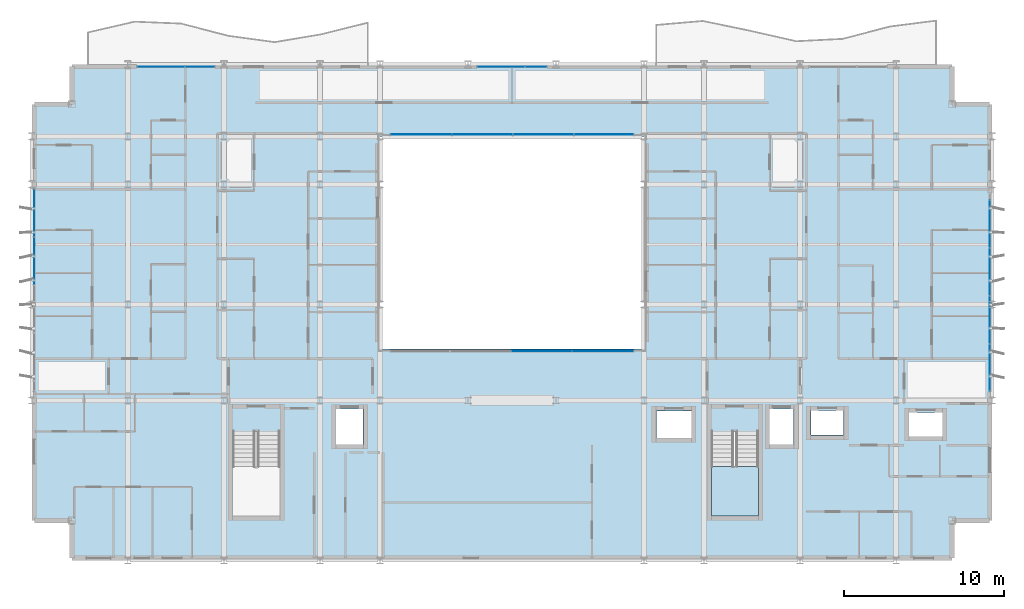
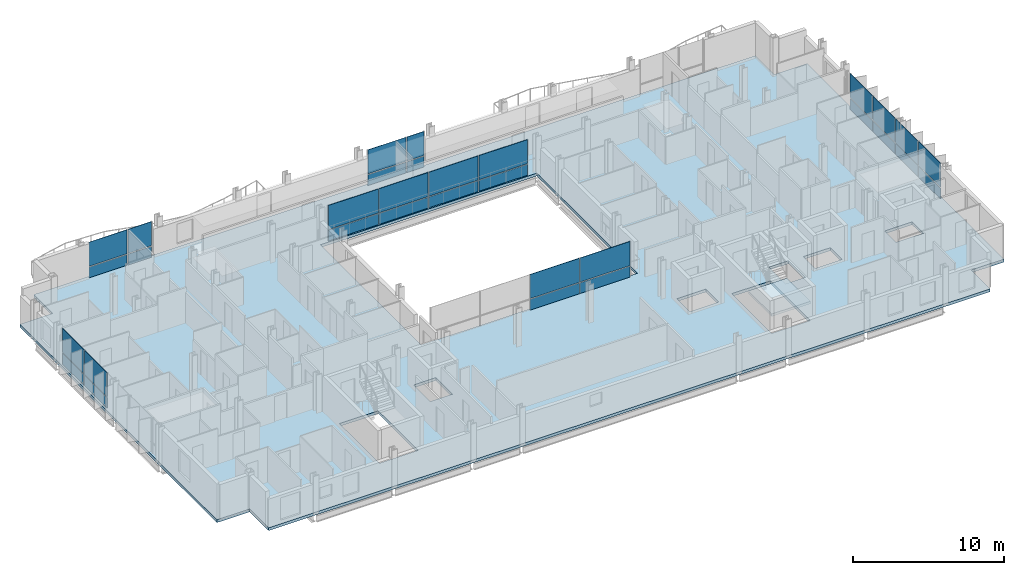
# One storey, part 23 of 38: 32 plates, 2 slabs, 7 elements without a shape of their own.
"""IFC4 building model written with IfcOpenShell, lengths in metres."""

from ifc_helpers import new_model, si_unit, direction, frame, origin, origin_2d, place, context, subcontext, project, spatial, polyline, rectangle, outline, extrude, material, layer, layer_set, type_object, element, aggregate, save


model = new_model("IFC4")

# Units and contexts
model_context = context("Model", 3, precision=1e-05, world=origin(), true_north=direction((0.0, 1.0)))
body_context = subcontext(model_context, "Body", "Model", "MODEL_VIEW")
ifc_project = project(units=[si_unit("LENGTHUNIT", "METRE"), si_unit("AREAUNIT", "SQUARE_METRE"), si_unit("VOLUMEUNIT", "CUBIC_METRE"), si_unit("PLANEANGLEUNIT", "RADIAN"), si_unit("MASSUNIT", "GRAM", prefix="KILO")], contexts=[model_context])

# Site, building, storey
site_placement = place(None, origin())
site = spatial("IfcSite", under=ifc_project, at=site_placement, CompositionType="ELEMENT")
building_placement = place(site_placement, origin())
building = spatial("IfcBuilding", under=site, at=building_placement, Name="Brevholm Reach", CompositionType="ELEMENT")
storey_placement = place(building_placement, frame((0.0, 0.0, 71.39990234375)))
storey = spatial("IfcBuildingStorey", under=building, at=storey_placement, Name="L20", CompositionType="ELEMENT", Elevation=71.39990234375)

# Curtain wall, plates
ifc_material_1 = material(Name="Dark Anodised Aluminium 6063-T6 and Solar-Control Glass", Category="aluminium")
ifc_layer_1 = layer(ifc_material_1, 0.14990234375)
ifc_layer_set_1 = layer_set([ifc_layer_1], Name="Dark Anodised Aluminium 6063-T6 and Solar-Control Glass")
curtain_wall_type_1 = type_object("IfcCurtainWallType", Name="CW-01", PredefinedType="NOTDEFINED", material=ifc_layer_set_1)
curtain_wall_1_placement = place(storey_placement, origin())
curtain_wall_1 = element("IfcCurtainWall", 1, at=curtain_wall_1_placement, inside=storey, type_object=curtain_wall_type_1, Name="L20 Curtain Wall CW-01", PredefinedType="NOTDEFINED")
ifc_material_2 = material(Name="Dark Solar-Control Double-Glazed IGU Glass", Category="glass")
ifc_layer_2 = layer(ifc_material_2, 0.028076171875)
ifc_layer_set_2 = layer_set([ifc_layer_2], Name="Dark Solar-Control Double-Glazed IGU Glass")
plate_type_1 = type_object("IfcPlateType", Name="CWP-GLZ-28", PredefinedType="CURTAIN_PANEL", material=ifc_layer_set_2)
plate_1_placement = place(storey_placement, frame((0.14990234375, 21.703857421875, 0.0), z_axis=(0.0, 0.0, 1.0), x_axis=(0.0, -1.0, 0.0)))
plate_1 = element("IfcPlate", 2, at=plate_1_placement, type_object=plate_type_1, Name="CP-01 Glazing Panel 1.1", PredefinedType="CURTAIN_PANEL", context=body_context, shape_type="SweptSolid", body=[
    extrude(rectangle(XDim=2.902587890625, YDim=0.028076171875, at=origin_2d()), origin(), (0.0, 0.0, 1.0), 0.867431640625),
])
plate_2_placement = place(storey_placement, frame((0.14990234375, 21.703857421875, 0.9326171875), z_axis=(0.0, 0.0, 1.0), x_axis=(0.0, -1.0, 0.0)))
plate_2 = element("IfcPlate", 3, at=plate_2_placement, type_object=plate_type_1, Name="CP-01 Glazing Panel 1.2", PredefinedType="CURTAIN_PANEL", context=body_context, shape_type="SweptSolid", body=[
    extrude(rectangle(XDim=2.902587890625, YDim=0.028076171875, at=origin_2d()), origin(), (0.0, 0.0, 1.0), 1.9375),
])
plate_3_placement = place(storey_placement, frame((0.14990234375, 18.719970703125, 0.0), z_axis=(0.0, 0.0, 1.0), x_axis=(0.0, -1.0, 0.0)))
plate_3 = element("IfcPlate", 4, at=plate_3_placement, type_object=plate_type_1, Name="CP-01 Glazing Panel 2.1", PredefinedType="CURTAIN_PANEL", context=body_context, shape_type="SweptSolid", body=[
    extrude(rectangle(XDim=2.93505859375, YDim=0.028076171875, at=origin_2d()), origin(), (0.0, 0.0, 1.0), 0.867431640625),
])
plate_4_placement = place(storey_placement, frame((0.14990234375, 18.719970703125, 0.9326171875), z_axis=(0.0, 0.0, 1.0), x_axis=(0.0, -1.0, 0.0)))
plate_4 = element("IfcPlate", 5, at=plate_4_placement, type_object=plate_type_1, Name="CP-01 Glazing Panel 2.2", PredefinedType="CURTAIN_PANEL", context=body_context, shape_type="SweptSolid", body=[
    extrude(rectangle(XDim=2.93505859375, YDim=0.028076171875, at=origin_2d()), origin(), (0.0, 0.0, 1.0), 1.9375),
])
aggregate(curtain_wall_1, [plate_1, plate_2, plate_3, plate_4])

curtain_wall_2_placement = place(storey_placement, origin())
curtain_wall_2 = element("IfcCurtainWall", 6, at=curtain_wall_2_placement, inside=storey, type_object=curtain_wall_type_1, Name="L20 Curtain Wall CW-01", PredefinedType="NOTDEFINED")
plate_5_placement = place(storey_placement, frame((59.85009765625, 12.066162109375, 0.0), z_axis=(0.0, 0.0, 1.0), x_axis=(0.0, 1.0, 0.0)))
plate_5 = element("IfcPlate", 7, at=plate_5_placement, type_object=plate_type_1, Name="CP-01 Glazing Panel 1.1", PredefinedType="CURTAIN_PANEL", context=body_context, shape_type="SweptSolid", body=[
    extrude(rectangle(XDim=2.902587890625, YDim=0.028076171875, at=origin_2d()), origin(), (0.0, 0.0, 1.0), 0.867431640625),
])
plate_6_placement = place(storey_placement, frame((59.85009765625, 12.066162109375, 0.9326171875), z_axis=(0.0, 0.0, 1.0), x_axis=(0.0, 1.0, 0.0)))
plate_6 = element("IfcPlate", 8, at=plate_6_placement, type_object=plate_type_1, Name="CP-01 Glazing Panel 1.2", PredefinedType="CURTAIN_PANEL", context=body_context, shape_type="SweptSolid", body=[
    extrude(rectangle(XDim=2.902587890625, YDim=0.028076171875, at=origin_2d()), origin(), (0.0, 0.0, 1.0), 1.9375),
])
plate_7_placement = place(storey_placement, frame((59.85009765625, 15.050048828125, 0.0), z_axis=(0.0, 0.0, 1.0), x_axis=(0.0, 1.0, 0.0)))
plate_7 = element("IfcPlate", 9, at=plate_7_placement, type_object=plate_type_1, Name="CP-01 Glazing Panel 2.1", PredefinedType="CURTAIN_PANEL", context=body_context, shape_type="SweptSolid", body=[
    extrude(rectangle(XDim=2.93505859375, YDim=0.028076171875, at=origin_2d()), origin(), (0.0, 0.0, 1.0), 0.867431640625),
])
plate_8_placement = place(storey_placement, frame((59.85009765625, 15.050048828125, 0.9326171875), z_axis=(0.0, 0.0, 1.0), x_axis=(0.0, 1.0, 0.0)))
plate_8 = element("IfcPlate", 10, at=plate_8_placement, type_object=plate_type_1, Name="CP-01 Glazing Panel 2.2", PredefinedType="CURTAIN_PANEL", context=body_context, shape_type="SweptSolid", body=[
    extrude(rectangle(XDim=2.93505859375, YDim=0.028076171875, at=origin_2d()), origin(), (0.0, 0.0, 1.0), 1.9375),
])
plate_9_placement = place(storey_placement, frame((59.85009765625, 18.050048828125, 0.0), z_axis=(0.0, 0.0, 1.0), x_axis=(0.0, 1.0, 0.0)))
plate_9 = element("IfcPlate", 11, at=plate_9_placement, type_object=plate_type_1, Name="CP-01 Glazing Panel 3.1", PredefinedType="CURTAIN_PANEL", context=body_context, shape_type="SweptSolid", body=[
    extrude(rectangle(XDim=2.93505859375, YDim=0.028076171875, at=origin_2d()), origin(), (0.0, 0.0, 1.0), 0.867431640625),
])
plate_10_placement = place(storey_placement, frame((59.85009765625, 18.050048828125, 0.9326171875), z_axis=(0.0, 0.0, 1.0), x_axis=(0.0, 1.0, 0.0)))
plate_10 = element("IfcPlate", 12, at=plate_10_placement, type_object=plate_type_1, Name="CP-01 Glazing Panel 3.2", PredefinedType="CURTAIN_PANEL", context=body_context, shape_type="SweptSolid", body=[
    extrude(rectangle(XDim=2.93505859375, YDim=0.028076171875, at=origin_2d()), origin(), (0.0, 0.0, 1.0), 1.9375),
])
plate_11_placement = place(storey_placement, frame((59.85009765625, 21.050048828125, 0.0), z_axis=(0.0, 0.0, 1.0), x_axis=(0.0, 1.0, 0.0)))
plate_11 = element("IfcPlate", 13, at=plate_11_placement, type_object=plate_type_1, Name="CP-01 Glazing Panel 4.1", PredefinedType="CURTAIN_PANEL", context=body_context, shape_type="SweptSolid", body=[
    extrude(rectangle(XDim=2.93505859375, YDim=0.028076171875, at=origin_2d()), origin(), (0.0, 0.0, 1.0), 0.867431640625),
])
plate_12_placement = place(storey_placement, frame((59.85009765625, 21.050048828125, 0.9326171875), z_axis=(0.0, 0.0, 1.0), x_axis=(0.0, 1.0, 0.0)))
plate_12 = element("IfcPlate", 14, at=plate_12_placement, type_object=plate_type_1, Name="CP-01 Glazing Panel 4.2", PredefinedType="CURTAIN_PANEL", context=body_context, shape_type="SweptSolid", body=[
    extrude(rectangle(XDim=2.93505859375, YDim=0.028076171875, at=origin_2d()), origin(), (0.0, 0.0, 1.0), 1.9375),
])
aggregate(curtain_wall_2, [plate_5, plate_6, plate_7, plate_8, plate_9, plate_10, plate_11, plate_12])

curtain_wall_3_placement = place(storey_placement, origin())
curtain_wall_3 = element("IfcCurtainWall", 15, at=curtain_wall_3_placement, inside=storey, type_object=curtain_wall_type_1, Name="L20 Curtain Wall CW-01", PredefinedType="NOTDEFINED")
plate_13_placement = place(storey_placement, frame((8.066162109375, 30.85009765625, 0.0), z_axis=(0.0, 0.0, 1.0), x_axis=(1.0, 0.0, 0.0)))
plate_13 = element("IfcPlate", 16, at=plate_13_placement, type_object=plate_type_1, Name="CP-01 Glazing Panel 1.1", PredefinedType="CURTAIN_PANEL", context=body_context, shape_type="SweptSolid", body=[
    extrude(rectangle(XDim=2.902587890625, YDim=0.028076171875, at=origin_2d()), origin(), (0.0, 0.0, 1.0), 0.867431640625),
])
plate_14_placement = place(storey_placement, frame((8.066162109375, 30.85009765625, 0.9326171875), z_axis=(0.0, 0.0, 1.0), x_axis=(1.0, 0.0, 0.0)))
plate_14 = element("IfcPlate", 17, at=plate_14_placement, type_object=plate_type_1, Name="CP-01 Glazing Panel 1.2", PredefinedType="CURTAIN_PANEL", context=body_context, shape_type="SweptSolid", body=[
    extrude(rectangle(XDim=2.902587890625, YDim=0.028076171875, at=origin_2d()), origin(), (0.0, 0.0, 1.0), 1.9375),
])
plate_15_placement = place(storey_placement, frame((10.483642578125, 30.85009765625, 0.0), z_axis=(0.0, 0.0, 1.0), x_axis=(1.0, 0.0, 0.0)))
plate_15 = element("IfcPlate", 18, at=plate_15_placement, type_object=plate_type_1, Name="CP-01 Glazing Panel 2.1", PredefinedType="CURTAIN_PANEL", context=body_context, shape_type="SweptSolid", body=[
    extrude(rectangle(XDim=1.802490234375, YDim=0.028076171875, at=origin_2d()), origin(), (0.0, 0.0, 1.0), 0.867431640625),
])
plate_16_placement = place(storey_placement, frame((10.483642578125, 30.85009765625, 0.9326171875), z_axis=(0.0, 0.0, 1.0), x_axis=(1.0, 0.0, 0.0)))
plate_16 = element("IfcPlate", 19, at=plate_16_placement, type_object=plate_type_1, Name="CP-01 Glazing Panel 2.2", PredefinedType="CURTAIN_PANEL", context=body_context, shape_type="SweptSolid", body=[
    extrude(rectangle(XDim=1.802490234375, YDim=0.028076171875, at=origin_2d()), origin(), (0.0, 0.0, 1.0), 1.9375),
])
aggregate(curtain_wall_3, [plate_13, plate_14, plate_15, plate_16])

curtain_wall_4_placement = place(storey_placement, origin())
curtain_wall_4 = element("IfcCurtainWall", 20, at=curtain_wall_4_placement, inside=storey, type_object=curtain_wall_type_1, Name="L20 Curtain Wall CW-01", PredefinedType="NOTDEFINED")
plate_17_placement = place(storey_placement, frame((29.316162109375, 30.85009765625, 0.0), z_axis=(0.0, 0.0, 1.0), x_axis=(1.0, 0.0, 0.0)))
plate_17 = element("IfcPlate", 21, at=plate_17_placement, type_object=plate_type_1, Name="CP-01 Glazing Panel 1.1", PredefinedType="CURTAIN_PANEL", context=body_context, shape_type="SweptSolid", body=[
    extrude(rectangle(XDim=2.902587890625, YDim=0.028076171875, at=origin_2d()), origin(), (0.0, 0.0, 1.0), 0.867431640625),
])
plate_18_placement = place(storey_placement, frame((29.316162109375, 30.85009765625, 0.9326171875), z_axis=(0.0, 0.0, 1.0), x_axis=(1.0, 0.0, 0.0)))
plate_18 = element("IfcPlate", 22, at=plate_18_placement, type_object=plate_type_1, Name="CP-01 Glazing Panel 1.2", PredefinedType="CURTAIN_PANEL", context=body_context, shape_type="SweptSolid", body=[
    extrude(rectangle(XDim=2.902587890625, YDim=0.028076171875, at=origin_2d()), origin(), (0.0, 0.0, 1.0), 1.9375),
])
plate_19_placement = place(storey_placement, frame((31.483642578125, 30.85009765625, 0.0), z_axis=(0.0, 0.0, 1.0), x_axis=(1.0, 0.0, 0.0)))
plate_19 = element("IfcPlate", 23, at=plate_19_placement, type_object=plate_type_1, Name="CP-01 Glazing Panel 2.1", PredefinedType="CURTAIN_PANEL", context=body_context, shape_type="SweptSolid", body=[
    extrude(rectangle(XDim=1.302490234375, YDim=0.028076171875, at=origin_2d()), origin(), (0.0, 0.0, 1.0), 0.867431640625),
])
plate_20_placement = place(storey_placement, frame((31.483642578125, 30.85009765625, 0.9326171875), z_axis=(0.0, 0.0, 1.0), x_axis=(1.0, 0.0, 0.0)))
plate_20 = element("IfcPlate", 24, at=plate_20_placement, type_object=plate_type_1, Name="CP-01 Glazing Panel 2.2", PredefinedType="CURTAIN_PANEL", context=body_context, shape_type="SweptSolid", body=[
    extrude(rectangle(XDim=1.302490234375, YDim=0.028076171875, at=origin_2d()), origin(), (0.0, 0.0, 1.0), 1.9375),
])
aggregate(curtain_wall_4, [plate_17, plate_18, plate_19, plate_20])

ifc_material_3 = material(Name="Dark Anodised Aluminium 6063-T6 and Solar-Control Glass", Category="aluminium")
ifc_layer_3 = layer(ifc_material_3, 0.139892578125)
ifc_layer_set_3 = layer_set([ifc_layer_3], Name="Dark Anodised Aluminium 6063-T6 and Solar-Control Glass")
curtain_wall_type_2 = type_object("IfcCurtainWallType", Name="CW-02", PredefinedType="NOTDEFINED", material=ifc_layer_set_3)
curtain_wall_5_placement = place(storey_placement, origin())
curtain_wall_5 = element("IfcCurtainWall", 25, at=curtain_wall_5_placement, inside=storey, type_object=curtain_wall_type_2, Name="L20 Curtain Wall CW-02", PredefinedType="NOTDEFINED")
ifc_material_4 = material(Name="Low-Iron Laminated Acoustic Glass", Category="glass")
ifc_layer_4 = layer(ifc_material_4, 0.035888671875)
ifc_layer_set_4 = layer_set([ifc_layer_4], Name="Low-Iron Laminated Acoustic Glass")
plate_type_2 = type_object("IfcPlateType", Name="CWP-GLZ-36", PredefinedType="CURTAIN_PANEL", material=ifc_layer_set_4)
plate_21_placement = place(storey_placement, frame((31.85009765625, 13.080078125, 0.0), z_axis=(0.0, 0.0, 1.0), x_axis=(1.0, 0.0, 0.0)))
plate_21 = element("IfcPlate", 26, at=plate_21_placement, type_object=plate_type_2, Name="CP-02 Glazing Panel 3.1", PredefinedType="CURTAIN_PANEL", context=body_context, shape_type="SweptSolid", body=[
    extrude(rectangle(XDim=3.739990234375, YDim=0.035888671875, at=origin_2d()), origin(), (0.0, 0.0, 1.0), 0.8701171875),
])
plate_22_placement = place(storey_placement, frame((31.85009765625, 13.080078125, 0.93017578125), z_axis=(0.0, 0.0, 1.0), x_axis=(1.0, 0.0, 0.0)))
plate_22 = element("IfcPlate", 27, at=plate_22_placement, type_object=plate_type_2, Name="CP-02 Glazing Panel 3.2", PredefinedType="CURTAIN_PANEL", context=body_context, shape_type="SweptSolid", body=[
    extrude(rectangle(XDim=3.739990234375, YDim=0.035888671875, at=origin_2d()), origin(), (0.0, 0.0, 1.0), 1.93994140625),
])
plate_23_placement = place(storey_placement, frame((35.68505859375, 13.080078125, 0.0), z_axis=(0.0, 0.0, 1.0), x_axis=(1.0, 0.0, 0.0)))
plate_23 = element("IfcPlate", 28, at=plate_23_placement, type_object=plate_type_2, Name="CP-02 Glazing Panel 4.1", PredefinedType="CURTAIN_PANEL", context=body_context, shape_type="SweptSolid", body=[
    extrude(rectangle(XDim=3.81005859375, YDim=0.035888671875, at=origin_2d()), origin(), (0.0, 0.0, 1.0), 0.8701171875),
])
plate_24_placement = place(storey_placement, frame((35.68505859375, 13.080078125, 0.93017578125), z_axis=(0.0, 0.0, 1.0), x_axis=(1.0, 0.0, 0.0)))
plate_24 = element("IfcPlate", 29, at=plate_24_placement, type_object=plate_type_2, Name="CP-02 Glazing Panel 4.2", PredefinedType="CURTAIN_PANEL", context=body_context, shape_type="SweptSolid", body=[
    extrude(rectangle(XDim=3.81005859375, YDim=0.035888671875, at=origin_2d()), origin(), (0.0, 0.0, 1.0), 1.93994140625),
])
aggregate(curtain_wall_5, [plate_21, plate_22, plate_23, plate_24])

curtain_wall_6_placement = place(storey_placement, origin())
curtain_wall_6 = element("IfcCurtainWall", 30, at=curtain_wall_6_placement, inside=storey, type_object=curtain_wall_type_2, Name="L20 Curtain Wall CW-02", PredefinedType="NOTDEFINED")
plate_25_placement = place(storey_placement, frame((35.735107421875, 26.6201171875, 0.0), z_axis=(0.0, 0.0, 1.0), x_axis=(-1.0, 0.0, 0.0)))
plate_25 = element("IfcPlate", 31, at=plate_25_placement, type_object=plate_type_2, Name="CP-02 Glazing Panel 1.1", PredefinedType="CURTAIN_PANEL", context=body_context, shape_type="SweptSolid", body=[
    extrude(rectangle(XDim=3.7099609375, YDim=0.035888671875, at=origin_2d()), origin(), (0.0, 0.0, 1.0), 0.8701171875),
])
plate_26_placement = place(storey_placement, frame((35.735107421875, 26.6201171875, 0.93017578125), z_axis=(0.0, 0.0, 1.0), x_axis=(-1.0, 0.0, 0.0)))
plate_26 = element("IfcPlate", 32, at=plate_26_placement, type_object=plate_type_2, Name="CP-02 Glazing Panel 1.2", PredefinedType="CURTAIN_PANEL", context=body_context, shape_type="SweptSolid", body=[
    extrude(rectangle(XDim=3.7099609375, YDim=0.035888671875, at=origin_2d()), origin(), (0.0, 0.0, 1.0), 1.93994140625),
])
plate_27_placement = place(storey_placement, frame((31.949951171875, 26.6201171875, 0.0), z_axis=(0.0, 0.0, 1.0), x_axis=(-1.0, 0.0, 0.0)))
plate_27 = element("IfcPlate", 33, at=plate_27_placement, type_object=plate_type_2, Name="CP-02 Glazing Panel 2.1", PredefinedType="CURTAIN_PANEL", context=body_context, shape_type="SweptSolid", body=[
    extrude(rectangle(XDim=3.739990234375, YDim=0.035888671875, at=origin_2d()), origin(), (0.0, 0.0, 1.0), 0.8701171875),
])
plate_28_placement = place(storey_placement, frame((31.949951171875, 26.6201171875, 0.93017578125), z_axis=(0.0, 0.0, 1.0), x_axis=(-1.0, 0.0, 0.0)))
plate_28 = element("IfcPlate", 34, at=plate_28_placement, type_object=plate_type_2, Name="CP-02 Glazing Panel 2.2", PredefinedType="CURTAIN_PANEL", context=body_context, shape_type="SweptSolid", body=[
    extrude(rectangle(XDim=3.739990234375, YDim=0.035888671875, at=origin_2d()), origin(), (0.0, 0.0, 1.0), 1.93994140625),
])
plate_29_placement = place(storey_placement, frame((28.14990234375, 26.6201171875, 0.0), z_axis=(0.0, 0.0, 1.0), x_axis=(-1.0, 0.0, 0.0)))
plate_29 = element("IfcPlate", 35, at=plate_29_placement, type_object=plate_type_2, Name="CP-02 Glazing Panel 3.1", PredefinedType="CURTAIN_PANEL", context=body_context, shape_type="SweptSolid", body=[
    extrude(rectangle(XDim=3.739990234375, YDim=0.035888671875, at=origin_2d()), origin(), (0.0, 0.0, 1.0), 0.8701171875),
])
plate_30_placement = place(storey_placement, frame((28.14990234375, 26.6201171875, 0.93017578125), z_axis=(0.0, 0.0, 1.0), x_axis=(-1.0, 0.0, 0.0)))
plate_30 = element("IfcPlate", 36, at=plate_30_placement, type_object=plate_type_2, Name="CP-02 Glazing Panel 3.2", PredefinedType="CURTAIN_PANEL", context=body_context, shape_type="SweptSolid", body=[
    extrude(rectangle(XDim=3.739990234375, YDim=0.035888671875, at=origin_2d()), origin(), (0.0, 0.0, 1.0), 1.93994140625),
])
plate_31_placement = place(storey_placement, frame((24.31494140625, 26.6201171875, 0.0), z_axis=(0.0, 0.0, 1.0), x_axis=(-1.0, 0.0, 0.0)))
plate_31 = element("IfcPlate", 37, at=plate_31_placement, type_object=plate_type_2, Name="CP-02 Glazing Panel 4.1", PredefinedType="CURTAIN_PANEL", context=body_context, shape_type="SweptSolid", body=[
    extrude(rectangle(XDim=3.81005859375, YDim=0.035888671875, at=origin_2d()), origin(), (0.0, 0.0, 1.0), 0.8701171875),
])
plate_32_placement = place(storey_placement, frame((24.31494140625, 26.6201171875, 0.93017578125), z_axis=(0.0, 0.0, 1.0), x_axis=(-1.0, 0.0, 0.0)))
plate_32 = element("IfcPlate", 38, at=plate_32_placement, type_object=plate_type_2, Name="CP-02 Glazing Panel 4.2", PredefinedType="CURTAIN_PANEL", context=body_context, shape_type="SweptSolid", body=[
    extrude(rectangle(XDim=3.81005859375, YDim=0.035888671875, at=origin_2d()), origin(), (0.0, 0.0, 1.0), 1.93994140625),
])
aggregate(curtain_wall_6, [plate_25, plate_26, plate_27, plate_28, plate_29, plate_30, plate_31, plate_32])

# Slab
ifc_material_5 = material(Name="Concrete C40/50", Category="concrete")
ifc_layer_5 = layer(ifc_material_5, 0.22998046875)
ifc_layer_set_5 = layer_set([ifc_layer_5], Name="Concrete C40/50")
slab_type_1 = type_object("IfcSlabType", Name="SLB-FL-230", PredefinedType="FLOOR", material=ifc_layer_set_5)
slab_1_placement = place(storey_placement, frame((0.0, 0.0, -0.22998046875)))
element("IfcSlab", 39, at=slab_1_placement, inside=storey, type_object=slab_type_1, Name="L20 Suspended Floor Slab (main)", PredefinedType="FLOOR", context=body_context, shape_type="SweptSolid", body=[
    extrude(outline(polyline([(2.5, 0.0), (57.5, 0.0), (57.5, 2.5), (60.0, 2.5), (60.0, 28.5), (57.5, 28.5), (57.5, 31.0), (2.5, 31.0), (2.5, 28.5), (0.0, 28.5), (0.0, 2.5), (2.5, 2.5), (2.5, 0.0)]), holes=[polyline([(21.75, 13.199951171875), (38.25, 13.199951171875), (38.25, 26.5), (21.75, 26.5), (21.75, 13.199951171875)]), polyline([(12.550048828125, 2.780029296875), (15.5, 2.780029296875), (15.5, 8.044921875), (12.550048828125, 8.044921875), (12.550048828125, 2.780029296875)]), polyline([(42.449951171875, 2.780029296875), (45.39990234375, 2.780029296875), (45.39990234375, 8.044921875), (42.449951171875, 8.044921875), (42.449951171875, 2.780029296875)]), polyline([(19.0, 7.25), (20.699951171875, 7.25), (20.699951171875, 9.449951171875), (19.0, 9.449951171875), (19.0, 7.25)]), polyline([(46.10009765625, 7.25), (47.60009765625, 7.25), (47.60009765625, 9.449951171875), (46.10009765625, 9.449951171875), (46.10009765625, 7.25)]), polyline([(48.675048828125, 7.824951171875), (50.72509765625, 7.824951171875), (50.72509765625, 9.375), (48.675048828125, 9.375), (48.675048828125, 7.824951171875)]), polyline([(54.800048828125, 7.75), (56.89990234375, 7.75), (56.89990234375, 9.25), (54.800048828125, 9.25), (54.800048828125, 7.75)]), polyline([(39.02001953125, 7.64990234375), (41.219970703125, 7.64990234375), (41.219970703125, 9.35009765625), (39.02001953125, 9.35009765625), (39.02001953125, 7.64990234375)])]), origin(), (0.0, 0.0, 1.0), 0.22998046875),
])

# Stair, slab
ifc_material_6 = material(Name="Precast Concrete C40/50", Category="concrete")
stair_type = type_object("IfcStairType", Name="STR-ESC-1400", PredefinedType="DOUBLE_RETURN_STAIR", material=ifc_material_6)
stair_placement = place(storey_placement, origin())
stair = element("IfcStair", 40, at=stair_placement, inside=storey, type_object=stair_type, Name="L20 ST-2", PredefinedType="DOUBLE_RETURN_STAIR")
ifc_material_7 = material(Name="Concrete C40/50", Category="concrete")
ifc_layer_6 = layer(ifc_material_7, 0.199951171875)
ifc_layer_set_6 = layer_set([ifc_layer_6], Name="Concrete C40/50")
slab_type_2 = type_object("IfcSlabType", Name="SLB-LND-200", PredefinedType="LANDING", material=ifc_layer_set_6)
slab_2_placement = place(storey_placement, frame((0.0, 0.0, 1.35009765625)))
slab_2 = element("IfcSlab", 41, at=slab_2_placement, type_object=slab_type_2, Name="ST-2 landing 1", PredefinedType="LANDING", context=body_context, shape_type="SweptSolid", body=[
    extrude(outline(polyline([(42.449951171875, 5.860107421875), (42.449951171875, 2.780029296875), (45.39990234375, 2.780029296875), (45.39990234375, 5.860107421875), (42.449951171875, 5.860107421875)])), origin(), (0.0, 0.0, 1.0), 0.199951171875),
])
aggregate(stair, [slab_2])

save(model, "model.ifc")
